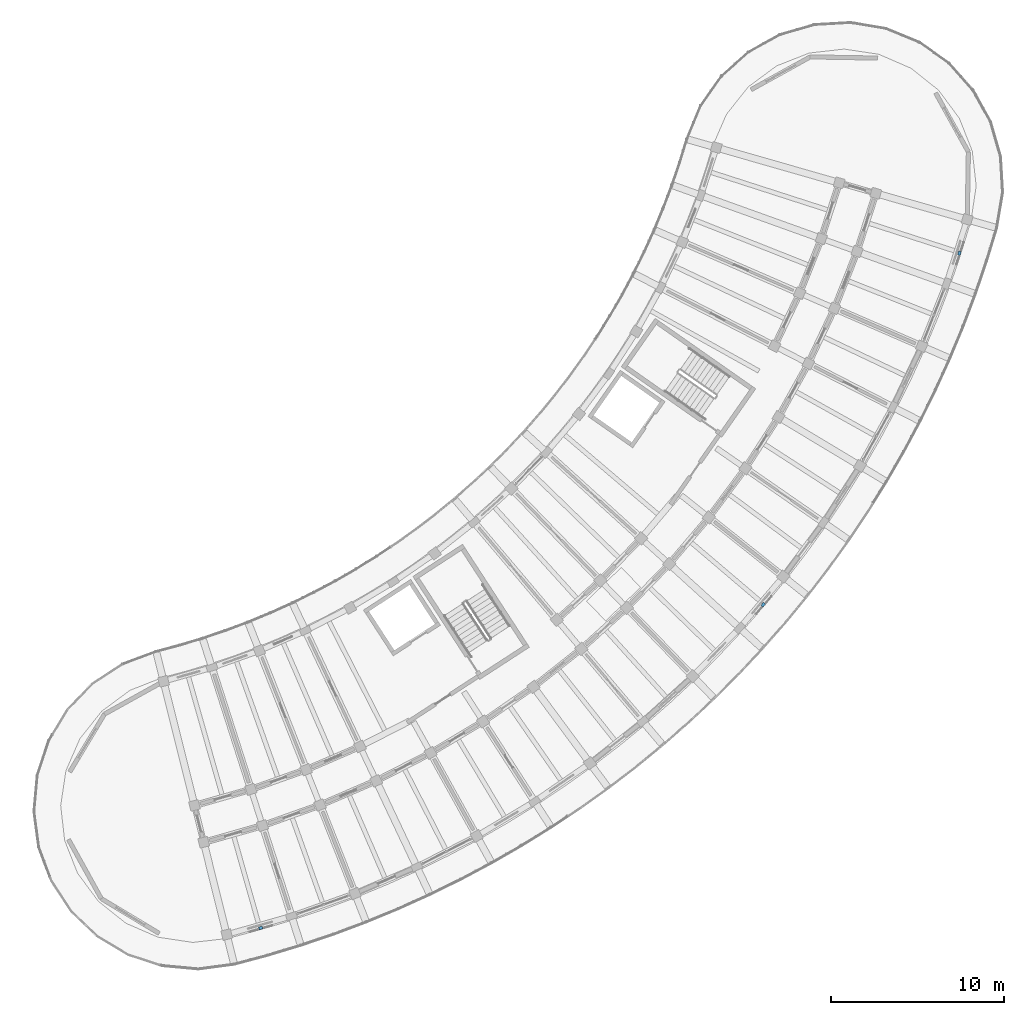
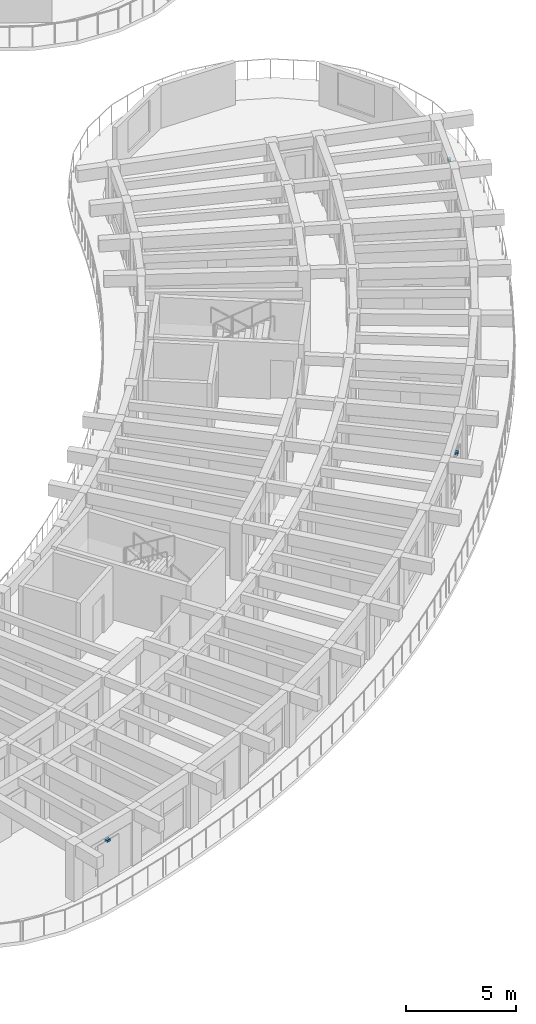
# One storey, part 77 of 96: 3 discrete accessories.
"""IFC4 building model written with IfcOpenShell, lengths in metres."""

from ifc_helpers import new_model, si_unit, direction, frame, origin, origin_2d, place, context, subcontext, project, spatial, rectangle, extrude, material, type_object, element, save


model = new_model("IFC4")

# Units and contexts
model_context = context("Model", 3, precision=1e-05, world=origin(), true_north=direction((0.0, 1.0)))
body_context = subcontext(model_context, "Body", "Model", "MODEL_VIEW")
ifc_project = project(units=[si_unit("LENGTHUNIT", "METRE"), si_unit("AREAUNIT", "SQUARE_METRE"), si_unit("VOLUMEUNIT", "CUBIC_METRE"), si_unit("PLANEANGLEUNIT", "RADIAN"), si_unit("MASSUNIT", "GRAM", prefix="KILO")], contexts=[model_context])

# Site, building, storey
site_placement = place(None, origin())
site = spatial("IfcSite", under=ifc_project, at=site_placement, CompositionType="ELEMENT")
building_placement = place(site_placement, origin())
building = spatial("IfcBuilding", under=site, at=building_placement, Name="Tanwirah Colonnade Gardens", CompositionType="ELEMENT")
storey_placement = place(building_placement, frame((0.0, 0.0, 12.199951171875)))
storey = spatial("IfcBuildingStorey", under=building, at=storey_placement, Name="L03", CompositionType="ELEMENT", Elevation=12.199951171875)

# Discrete accessories
ifc_material = material(Name="Steel S355", Category="steel")
discrete_accessory_type = type_object("IfcDiscreteAccessoryType", Name="BRK-SS1", PredefinedType="BRACKET", material=ifc_material)
for number, where, z_axis, x_axis, name in (
    (1, (137.370361328125, 7.1005859375, 2.169921875), (0.0, 0.0, 1.0), (0.961860770803, 0.273539499139, 0.0), "Solar screen support bracket D-L03-00"),
    (2, (166.442626953125, 25.800537109375, 2.10009765625), (0.0, 0.0, 1.0), (0.647787018861, 0.761821487092, 0.0), "Solar screen support bracket D-L03-09"),
    (3, (177.79296875, 46.136474609375, 2.010009765625), (0.0, 0.0, 1.0), (0.30694295016, 0.951727915608, 0.0), "Solar screen support bracket D-L03-15"),
):
    element("IfcDiscreteAccessory", number, at=place(storey_placement, frame(where, z_axis=z_axis, x_axis=x_axis)), inside=storey, type_object=discrete_accessory_type, Name=name, PredefinedType="BRACKET", context=body_context, shape_type="SweptSolid", body=[
        extrude(rectangle(XDim=0.219970703125, YDim=0.159912109375, at=origin_2d()), origin(), (0.0, 0.0, 1.0), 0.1201171875),
    ])

save(model, "model.ifc")
